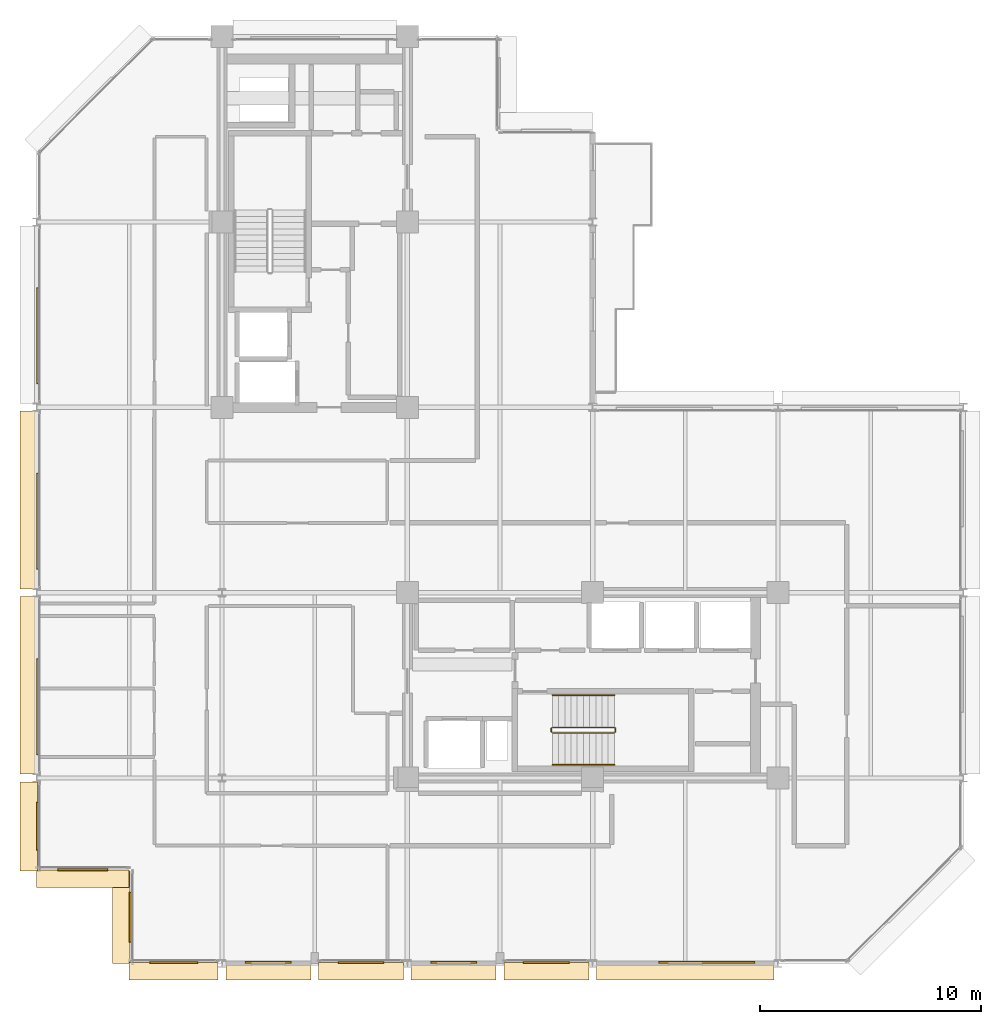
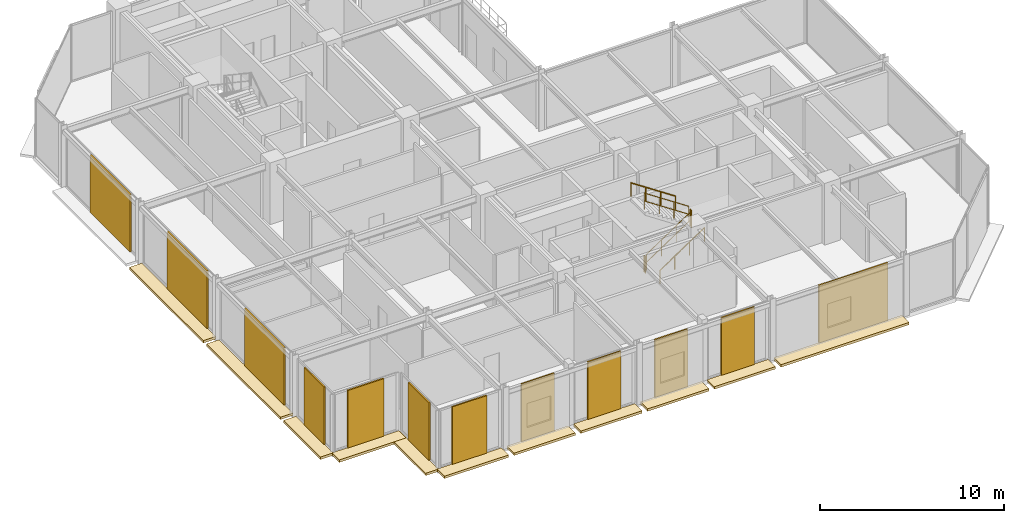
# One storey, part 23 of 26: 23 coverings, 6 railings.
"""IFC4 building model written with IfcOpenShell, lengths in metres."""

from ifc_helpers import new_model, si_unit, direction, frame, origin, origin_2d, place, context, subcontext, project, spatial, polyline, rectangle, circle, outline, extrude, material, layer, layer_set, type_object, element, save


model = new_model("IFC4")

# Units and contexts
model_context = context("Model", 3, precision=1e-05, world=origin(), true_north=direction((0.0, 1.0)))
body_context = subcontext(model_context, "Body", "Model", "MODEL_VIEW")
ifc_project = project(units=[si_unit("LENGTHUNIT", "METRE"), si_unit("AREAUNIT", "SQUARE_METRE"), si_unit("VOLUMEUNIT", "CUBIC_METRE"), si_unit("PLANEANGLEUNIT", "RADIAN"), si_unit("MASSUNIT", "GRAM", prefix="KILO")], contexts=[model_context])

# Site, building, storey
site_placement = place(None, origin())
site = spatial("IfcSite", under=ifc_project, at=site_placement, CompositionType="ELEMENT")
building_placement = place(site_placement, origin())
building = spatial("IfcBuilding", under=site, at=building_placement, Name="Nerrivon Quay Data Exchange", CompositionType="ELEMENT")
storey_placement = place(building_placement, frame((0.0, 0.0, 228.800048828125)))
storey = spatial("IfcBuildingStorey", under=building, at=storey_placement, Name="L54", CompositionType="ELEMENT", Elevation=228.800048828125)

# Coverings
ifc_material_1 = material(Name="Architectural terracotta ceramic", Category="masonry")
ifc_layer_1 = layer(ifc_material_1, 0.159912109375)
ifc_layer_set_1 = layer_set([ifc_layer_1], Name="Architectural terracotta ceramic")
covering_type_1 = type_object("IfcCoveringType", Name="COV-BLD-TERR", PredefinedType="CLADDING", material=ifc_layer_set_1)
covering_1_placement = place(storey_placement, frame((0.0, 0.0, -0.16015625)))
element("IfcCovering", 1, at=covering_1_placement, inside=storey, type_object=covering_type_1, Name="L54 Horizontal Terracotta SOLAR SCREEN Blade", PredefinedType="CLADDING", context=body_context, shape_type="SweptSolid", body=[
    extrude(outline(polyline([(33.425048828125, 0.0400390625), (25.375, 0.0400390625), (25.375, -0.75), (33.425048828125, -0.75), (33.425048828125, 0.0400390625)])), origin(), (0.0, 0.0, 1.0), 0.16015625),
])
covering_2_placement = place(storey_placement, frame((0.0, 0.0, -0.16015625)))
element("IfcCovering", 2, at=covering_2_placement, inside=storey, type_object=covering_type_1, Name="L54 Horizontal Terracotta SOLAR SCREEN Blade", PredefinedType="CLADDING", context=body_context, shape_type="SweptSolid", body=[
    extrude(outline(polyline([(25.02490234375, 0.0400390625), (21.175048828125, 0.0400390625), (21.175048828125, -0.75), (25.02490234375, -0.75), (25.02490234375, 0.0400390625)])), origin(), (0.0, 0.0, 1.0), 0.16015625),
])
covering_3_placement = place(storey_placement, frame((0.0, 0.0, -0.16015625)))
element("IfcCovering", 3, at=covering_3_placement, inside=storey, type_object=covering_type_1, Name="L54 Horizontal Terracotta SOLAR SCREEN Blade", PredefinedType="CLADDING", context=body_context, shape_type="SweptSolid", body=[
    extrude(outline(polyline([(20.824951171875, 0.0400390625), (16.97509765625, 0.0400390625), (16.97509765625, -0.75), (20.824951171875, -0.75), (20.824951171875, 0.0400390625)])), origin(), (0.0, 0.0, 1.0), 0.16015625),
])
covering_4_placement = place(storey_placement, frame((0.0, 0.0, -0.16015625)))
element("IfcCovering", 4, at=covering_4_placement, inside=storey, type_object=covering_type_1, Name="L54 Horizontal Terracotta SOLAR SCREEN Blade", PredefinedType="CLADDING", context=body_context, shape_type="SweptSolid", body=[
    extrude(outline(polyline([(16.625, 0.0400390625), (12.77490234375, 0.0400390625), (12.77490234375, -0.75), (16.625, -0.75), (16.625, 0.0400390625)])), origin(), (0.0, 0.0, 1.0), 0.16015625),
])
covering_5_placement = place(storey_placement, frame((0.0, 0.0, -0.16015625)))
element("IfcCovering", 5, at=covering_5_placement, inside=storey, type_object=covering_type_1, Name="L54 Horizontal Terracotta SOLAR SCREEN Blade", PredefinedType="CLADDING", context=body_context, shape_type="SweptSolid", body=[
    extrude(outline(polyline([(12.425048828125, 0.0400390625), (8.574951171875, 0.0400390625), (8.574951171875, -0.75), (12.425048828125, -0.75), (12.425048828125, 0.0400390625)])), origin(), (0.0, 0.0, 1.0), 0.16015625),
])
covering_6_placement = place(storey_placement, frame((0.0, 0.0, -0.16015625)))
element("IfcCovering", 6, at=covering_6_placement, inside=storey, type_object=covering_type_1, Name="L54 Horizontal Terracotta SOLAR SCREEN Blade", PredefinedType="CLADDING", context=body_context, shape_type="SweptSolid", body=[
    extrude(outline(polyline([(8.22509765625, 0.0400390625), (4.199951171875, 0.0400390625), (4.199951171875, -0.75), (8.22509765625, -0.75), (8.22509765625, 0.0400390625)])), origin(), (0.0, 0.0, 1.0), 0.16015625),
])
covering_7_placement = place(storey_placement, frame((0.0, 0.0, -0.16015625)))
element("IfcCovering", 7, at=covering_7_placement, inside=storey, type_object=covering_type_1, Name="L54 Horizontal Terracotta SOLAR SCREEN Blade", PredefinedType="CLADDING", context=body_context, shape_type="SweptSolid", body=[
    extrude(outline(polyline([(4.239990234375, 0.0), (4.239990234375, 4.199951171875), (3.449951171875, 4.199951171875), (3.449951171875, 0.0), (4.239990234375, 0.0)])), origin(), (0.0, 0.0, 1.0), 0.16015625),
])
covering_8_placement = place(storey_placement, frame((0.0, 0.0, -0.16015625)))
element("IfcCovering", 8, at=covering_8_placement, inside=storey, type_object=covering_type_1, Name="L54 Horizontal Terracotta SOLAR SCREEN Blade", PredefinedType="CLADDING", context=body_context, shape_type="SweptSolid", body=[
    extrude(outline(polyline([(4.199951171875, 4.239990234375), (0.0, 4.239990234375), (0.0, 3.449951171875), (4.199951171875, 3.449951171875), (4.199951171875, 4.239990234375)])), origin(), (0.0, 0.0, 1.0), 0.16015625),
])
covering_9_placement = place(storey_placement, frame((0.0, 0.0, -0.16015625)))
element("IfcCovering", 9, at=covering_9_placement, inside=storey, type_object=covering_type_1, Name="L54 Horizontal Terracotta SOLAR SCREEN Blade", PredefinedType="CLADDING", context=body_context, shape_type="SweptSolid", body=[
    extrude(outline(polyline([(0.0400390625, 4.199951171875), (0.0400390625, 8.22509765625), (-0.75, 8.22509765625), (-0.75, 4.199951171875), (0.0400390625, 4.199951171875)])), origin(), (0.0, 0.0, 1.0), 0.16015625),
])
covering_10_placement = place(storey_placement, frame((0.0, 0.0, -0.16015625)))
element("IfcCovering", 10, at=covering_10_placement, inside=storey, type_object=covering_type_1, Name="L54 Horizontal Terracotta SOLAR SCREEN Blade", PredefinedType="CLADDING", context=body_context, shape_type="SweptSolid", body=[
    extrude(outline(polyline([(0.0400390625, 8.574951171875), (0.0400390625, 16.625), (-0.75, 16.625), (-0.75, 8.574951171875), (0.0400390625, 8.574951171875)])), origin(), (0.0, 0.0, 1.0), 0.16015625),
])
covering_11_placement = place(storey_placement, frame((0.0, 0.0, -0.16015625)))
element("IfcCovering", 11, at=covering_11_placement, inside=storey, type_object=covering_type_1, Name="L54 Horizontal Terracotta SOLAR SCREEN Blade", PredefinedType="CLADDING", context=body_context, shape_type="SweptSolid", body=[
    extrude(outline(polyline([(0.0400390625, 16.97509765625), (0.0400390625, 25.02490234375), (-0.75, 25.02490234375), (-0.75, 16.97509765625), (0.0400390625, 16.97509765625)])), origin(), (0.0, 0.0, 1.0), 0.16015625),
])
ifc_layer_2 = layer(ifc_material_1, 0.090087890625)
ifc_layer_set_2 = layer_set([ifc_layer_2], Name="Architectural terracotta ceramic")
covering_type_2 = type_object("IfcCoveringType", Name="COV-SCR-TERR", PredefinedType="CLADDING", material=ifc_layer_set_2)
covering_12_placement = place(storey_placement, frame((30.365966796875, 0.044921875, 0.0), z_axis=(0.0, 0.0, 1.0), x_axis=(-1.0, 0.0, 0.0)))
element("IfcCovering", 12, at=covering_12_placement, inside=storey, type_object=covering_type_2, Name="L54 Perforated Terracotta SOLAR SCREEN Cassette", PredefinedType="CLADDING", context=body_context, shape_type="SweptSolid", body=[
    extrude(rectangle(XDim=4.346923828125, YDim=0.090087890625, at=origin_2d()), origin(), (0.0, 0.0, 1.0), 3.824951171875),
])
for number, where, z_axis, x_axis, name in (
    (13, (23.10009765625, 0.044921875, 0.0), (0.0, 0.0, 1.0), (-1.0, 0.0, 0.0), "L54 Perforated Terracotta SOLAR SCREEN Cassette"),
    (14, (18.89990234375, 0.044921875, 0.0), (0.0, 0.0, 1.0), (-1.0, 0.0, 0.0), "L54 Perforated Terracotta SOLAR SCREEN Cassette"),
    (15, (14.699951171875, 0.044921875, 0.0), (0.0, 0.0, 1.0), (-1.0, 0.0, 0.0), "L54 Perforated Terracotta SOLAR SCREEN Cassette"),
    (16, (10.5, 0.044921875, 0.0), (0.0, 0.0, 1.0), (-1.0, 0.0, 0.0), "L54 Perforated Terracotta SOLAR SCREEN Cassette"),
):
    element("IfcCovering", number, at=place(storey_placement, frame(where, z_axis=z_axis, x_axis=x_axis)), inside=storey, type_object=covering_type_2, Name=name, PredefinedType="CLADDING", context=body_context, shape_type="SweptSolid", body=[
        extrude(rectangle(XDim=2.0791015625, YDim=0.090087890625, at=origin_2d()), origin(), (0.0, 0.0, 1.0), 3.824951171875),
    ])
covering_13_placement = place(storey_placement, frame((6.21240234375, 0.044921875, 0.0), z_axis=(0.0, 0.0, 1.0), x_axis=(-1.0, 0.0, 0.0)))
element("IfcCovering", 17, at=covering_13_placement, inside=storey, type_object=covering_type_2, Name="L54 Perforated Terracotta SOLAR SCREEN Cassette", PredefinedType="CLADDING", context=body_context, shape_type="SweptSolid", body=[
    extrude(rectangle(XDim=2.173095703125, YDim=0.090087890625, at=origin_2d()), origin(), (0.0, 0.0, 1.0), 3.824951171875),
])
for number, where, z_axis, x_axis, name in (
    (18, (4.2451171875, 2.10009765625, 0.0), (0.0, 0.0, 1.0), (0.0, 1.0, 0.0), "L54 Perforated Terracotta SOLAR SCREEN Cassette"),
    (19, (2.10009765625, 4.2451171875, 0.0), (0.0, 0.0, 1.0), (-1.0, 0.0, 0.0), "L54 Perforated Terracotta SOLAR SCREEN Cassette"),
):
    element("IfcCovering", number, at=place(storey_placement, frame(where, z_axis=z_axis, x_axis=x_axis)), inside=storey, type_object=covering_type_2, Name=name, PredefinedType="CLADDING", context=body_context, shape_type="SweptSolid", body=[
        extrude(rectangle(XDim=2.26806640625, YDim=0.090087890625, at=origin_2d()), origin(), (0.0, 0.0, 1.0), 3.824951171875),
    ])
covering_14_placement = place(storey_placement, frame((0.044921875, 6.21240234375, 0.0), z_axis=(0.0, 0.0, 1.0), x_axis=(0.0, 1.0, 0.0)))
element("IfcCovering", 20, at=covering_14_placement, inside=storey, type_object=covering_type_2, Name="L54 Perforated Terracotta SOLAR SCREEN Cassette", PredefinedType="CLADDING", context=body_context, shape_type="SweptSolid", body=[
    extrude(rectangle(XDim=2.173095703125, YDim=0.090087890625, at=origin_2d()), origin(), (0.0, 0.0, 1.0), 3.824951171875),
])
for number, where, z_axis, x_axis, name in (
    (21, (0.044921875, 11.634033203125, 0.0), (0.0, 0.0, 1.0), (0.0, 1.0, 0.0), "L54 Perforated Terracotta SOLAR SCREEN Cassette"),
    (22, (0.044921875, 20.033935546875, 0.0), (0.0, 0.0, 1.0), (0.0, 1.0, 0.0), "L54 Perforated Terracotta SOLAR SCREEN Cassette"),
    (23, (0.044921875, 28.43408203125, 0.0), (0.0, 0.0, 1.0), (0.0, 1.0, 0.0), "L54 Perforated Terracotta SOLAR SCREEN Cassette"),
):
    element("IfcCovering", number, at=place(storey_placement, frame(where, z_axis=z_axis, x_axis=x_axis)), inside=storey, type_object=covering_type_2, Name=name, PredefinedType="CLADDING", context=body_context, shape_type="SweptSolid", body=[
        extrude(rectangle(XDim=4.346923828125, YDim=0.090087890625, at=origin_2d()), origin(), (0.0, 0.0, 1.0), 3.824951171875),
    ])

# Railings
ifc_material_2 = material(Name="Steel Grade C350L0 (350 MPa)", Category="steel")
railing_type_1 = type_object("IfcRailingType", Name="RAIL-HAND-HR1", PredefinedType="HANDRAIL", material=ifc_material_2)
railing_1_placement = place(storey_placement, frame((23.3798828125, 9.0, 0.186279296875)))
element("IfcRailing", 24, at=railing_1_placement, inside=storey, type_object=railing_type_1, Name="L54 ST02 stair handrail 1", PredefinedType="HANDRAIL", context=body_context, shape_type="SweptSolid", body=[
    extrude(circle(Radius=0.02392578125, at=origin_2d()), frame((0.0, 0.0, 0.8759765625), z_axis=(0.832452072856, 0.0, 0.554097055034), x_axis=(0.0, 1.0, 0.0)), (0.0, 0.0, 1.0), 3.363525390625),
    extrude(circle(Radius=0.02099609375, at=origin_2d()), origin(), (0.0, 0.0, 1.0), 0.851806640625),
    extrude(circle(Radius=0.02099609375, at=origin_2d()), frame((0.933349609375, 0.0, 0.621337890625)), (0.0, 0.0, 1.0), 0.851806640625),
    extrude(circle(Radius=0.02099609375, at=origin_2d()), frame((1.86669921875, 0.0, 1.242431640625)), (0.0, 0.0, 1.0), 0.851806640625),
    extrude(circle(Radius=0.02099609375, at=origin_2d()), frame((2.800048828125, 0.0, 1.86376953125)), (0.0, 0.0, 1.0), 0.851806640625),
])
railing_2_placement = place(storey_placement, frame((26.179931640625, 12.14990234375, 2.236328125)))
element("IfcRailing", 25, at=railing_2_placement, inside=storey, type_object=railing_type_1, Name="L54 ST02 stair handrail 2", PredefinedType="HANDRAIL", context=body_context, shape_type="SweptSolid", body=[
    extrude(circle(Radius=0.02392578125, at=origin_2d()), frame((0.0, 0.0, 0.8759765625), z_axis=(-0.832485552168, 0.0, 0.554046753832), x_axis=(0.0, -1.0, 0.0)), (0.0, 0.0, 1.0), 3.363525390625),
    extrude(circle(Radius=0.02099609375, at=origin_2d()), origin(), (0.0, 0.0, 1.0), 0.851806640625),
    extrude(circle(Radius=0.02099609375, at=origin_2d()), frame((-0.933349609375, 0.0, 0.62109375)), (0.0, 0.0, 1.0), 0.851806640625),
    extrude(circle(Radius=0.02099609375, at=origin_2d()), frame((-1.86669921875, 0.0, 1.242431640625)), (0.0, 0.0, 1.0), 0.851806640625),
    extrude(circle(Radius=0.02099609375, at=origin_2d()), frame((-2.800048828125, 0.0, 1.863525390625)), (0.0, 0.0, 1.0), 0.851806640625),
])
railing_type_2 = type_object("IfcRailingType", Name="RAIL-STAIR-GR1", PredefinedType="BALUSTRADE", material=ifc_material_2)
railing_3_placement = place(storey_placement, frame((23.3798828125, 10.449951171875, 0.186279296875)))
element("IfcRailing", 26, at=railing_3_placement, inside=storey, type_object=railing_type_2, Name="L54 ST02 stair guard 1", PredefinedType="BALUSTRADE", context=body_context, shape_type="SweptSolid", body=[
    extrude(circle(Radius=0.02392578125, at=origin_2d()), frame((0.0, 0.0, 1.076171875), z_axis=(0.832452072856, 0.0, 0.554097055034), x_axis=(0.0, 1.0, 0.0)), (0.0, 0.0, 1.0), 3.363525390625),
    extrude(circle(Radius=0.02392578125, at=origin_2d()), frame((0.0, 0.0, 0.550048828125), z_axis=(0.832452072856, 0.0, 0.554097055034), x_axis=(0.0, 1.0, 0.0)), (0.0, 0.0, 1.0), 3.363525390625),
    extrude(circle(Radius=0.02099609375, at=origin_2d()), origin(), (0.0, 0.0, 1.0), 1.052001953125),
    extrude(circle(Radius=0.02099609375, at=origin_2d()), frame((0.933349609375, 0.0, 0.621337890625)), (0.0, 0.0, 1.0), 1.052001953125),
    extrude(circle(Radius=0.02099609375, at=origin_2d()), frame((1.86669921875, 0.0, 1.242431640625)), (0.0, 0.0, 1.0), 1.052001953125),
    extrude(circle(Radius=0.02099609375, at=origin_2d()), frame((2.800048828125, 0.0, 1.86376953125)), (0.0, 0.0, 1.0), 1.052001953125),
])
railing_4_placement = place(storey_placement, frame((26.22998046875, 10.5, 2.050048828125)))
element("IfcRailing", 27, at=railing_4_placement, inside=storey, type_object=railing_type_2, Name="L54 ST02 stair guard 2", PredefinedType="BALUSTRADE", context=body_context, shape_type="SweptSolid", body=[
    extrude(circle(Radius=0.02392578125, at=origin_2d()), frame((0.0, 0.0, 1.076171875), z_axis=(0.0, 1.0, 0.0), x_axis=(-1.0, 0.0, 0.0)), (0.0, 0.0, 1.0), 0.14990234375),
    extrude(circle(Radius=0.02392578125, at=origin_2d()), frame((0.0, 0.0, 0.550048828125), z_axis=(0.0, 1.0, 0.0), x_axis=(-1.0, 0.0, 0.0)), (0.0, 0.0, 1.0), 0.14990234375),
    extrude(circle(Radius=0.02099609375, at=origin_2d()), origin(), (0.0, 0.0, 1.0), 1.052001953125),
    extrude(circle(Radius=0.02099609375, at=origin_2d()), frame((0.0, 0.14990234375, 0.0)), (0.0, 0.0, 1.0), 1.052001953125),
])
railing_5_placement = place(storey_placement, frame((26.179931640625, 10.699951171875, 2.236328125)))
element("IfcRailing", 28, at=railing_5_placement, inside=storey, type_object=railing_type_2, Name="L54 ST02 stair guard 3", PredefinedType="BALUSTRADE", context=body_context, shape_type="SweptSolid", body=[
    extrude(circle(Radius=0.02392578125, at=origin_2d()), frame((0.0, 0.0, 1.076171875), z_axis=(-0.832485552168, 0.0, 0.554046753832), x_axis=(0.0, -1.0, 0.0)), (0.0, 0.0, 1.0), 3.363525390625),
    extrude(circle(Radius=0.02392578125, at=origin_2d()), frame((0.0, 0.0, 0.550048828125), z_axis=(-0.832485552168, 0.0, 0.554046753832), x_axis=(0.0, -1.0, 0.0)), (0.0, 0.0, 1.0), 3.363525390625),
    extrude(circle(Radius=0.02099609375, at=origin_2d()), origin(), (0.0, 0.0, 1.0), 1.052001953125),
    extrude(circle(Radius=0.02099609375, at=origin_2d()), frame((-0.933349609375, 0.0, 0.62109375)), (0.0, 0.0, 1.0), 1.052001953125),
    extrude(circle(Radius=0.02099609375, at=origin_2d()), frame((-1.86669921875, 0.0, 1.242431640625)), (0.0, 0.0, 1.0), 1.052001953125),
    extrude(circle(Radius=0.02099609375, at=origin_2d()), frame((-2.800048828125, 0.0, 1.863525390625)), (0.0, 0.0, 1.0), 1.052001953125),
])
railing_6_placement = place(storey_placement, frame((23.330078125, 10.5, 0.0)))
element("IfcRailing", 29, at=railing_6_placement, inside=storey, type_object=railing_type_2, Name="L54 ST02 stair guard 4", PredefinedType="BALUSTRADE", context=body_context, shape_type="SweptSolid", body=[
    extrude(circle(Radius=0.02392578125, at=origin_2d()), frame((0.0, 0.0, 1.076171875), z_axis=(0.0, 1.0, 0.0), x_axis=(-1.0, 0.0, 0.0)), (0.0, 0.0, 1.0), 0.14990234375),
    extrude(circle(Radius=0.02392578125, at=origin_2d()), frame((0.0, 0.0, 0.550048828125), z_axis=(0.0, 1.0, 0.0), x_axis=(-1.0, 0.0, 0.0)), (0.0, 0.0, 1.0), 0.14990234375),
    extrude(circle(Radius=0.02099609375, at=origin_2d()), origin(), (0.0, 0.0, 1.0), 1.052001953125),
    extrude(circle(Radius=0.02099609375, at=origin_2d()), frame((0.0, 0.14990234375, 0.0)), (0.0, 0.0, 1.0), 1.052001953125),
])

save(model, "model.ifc")
